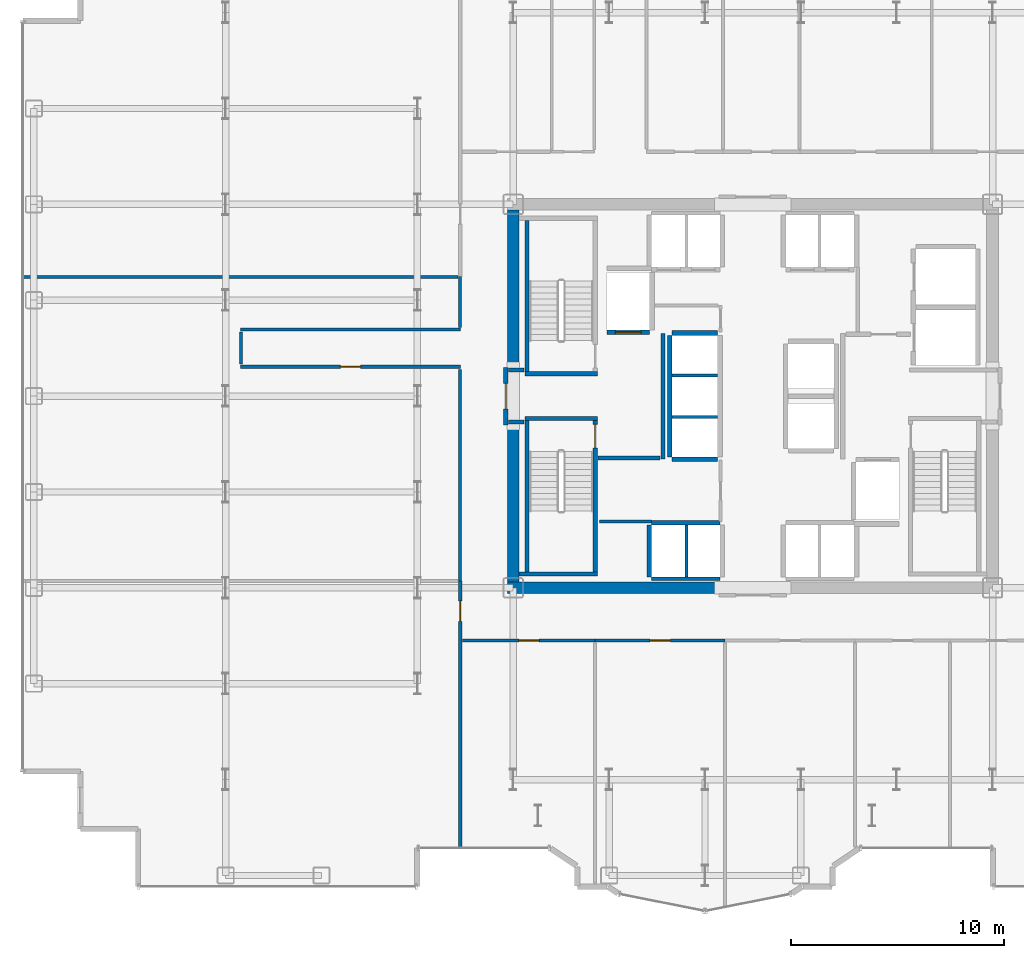
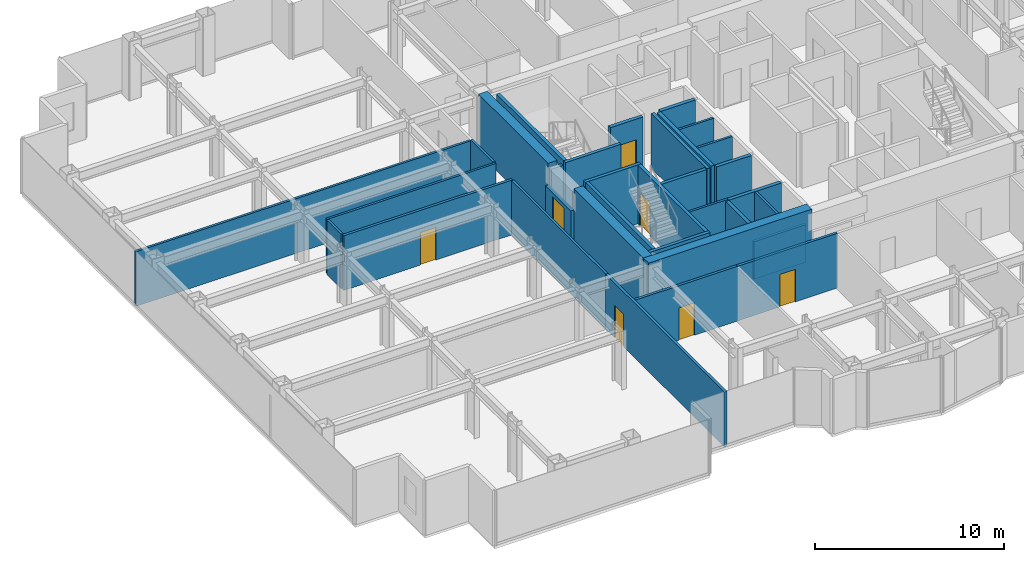
# One storey, part 20 of 26: 34 walls, 7 doors, 7 openings.
"""IFC4 building model written with IfcOpenShell, lengths in metres."""

from ifc_helpers import new_model, si_unit, direction, frame, frame_2d, origin, place, context, subcontext, project, spatial, rectangle, extrude, source, transform, mapped, material, layer, layer_set, type_object, element, fill, save


model = new_model("IFC4")

# Units and contexts
model_context = context("Model", 3, precision=1e-05, world=origin(), true_north=direction((0.0, 1.0)))
body_context = subcontext(model_context, "Body", "Model", "MODEL_VIEW")
ifc_project = project(units=[si_unit("LENGTHUNIT", "METRE"), si_unit("AREAUNIT", "SQUARE_METRE"), si_unit("VOLUMEUNIT", "CUBIC_METRE"), si_unit("PLANEANGLEUNIT", "RADIAN"), si_unit("MASSUNIT", "GRAM", prefix="KILO")], contexts=[model_context])

# Site, building, storey
site_placement = place(None, origin())
site = spatial("IfcSite", under=ifc_project, at=site_placement, CompositionType="ELEMENT")
building_placement = place(site_placement, origin())
building = spatial("IfcBuilding", under=site, at=building_placement, Name="Nefas-Gora Pilgrimage Tower", CompositionType="ELEMENT")
storey_placement = place(building_placement, frame((0.0, 0.0, 128.800048828125)))
storey = spatial("IfcBuildingStorey", under=building, at=storey_placement, Name="L31", CompositionType="ELEMENT", Elevation=128.800048828125)

# Walls
ifc_material_1 = material(Name="Concrete C60/75", Category="concrete")
ifc_layer_1 = layer(ifc_material_1, 0.550048828125)
ifc_layer_set_1 = layer_set([ifc_layer_1], Name="Concrete C60/75")
wall_type_1 = type_object("IfcWallType", Name="SW-CORE-550", PredefinedType="SHEAR", material=ifc_layer_set_1)
shared_shape_1 = source(origin(), body_context, "Body", "SweptSolid", [
    extrude(rectangle(XDim=9.974853515625, YDim=0.550048828125, at=frame_2d((4.9873046875, 0.0))), origin(), (0.0, 0.0, 1.0), 3.800048828125),
])
wall_1_placement = place(storey_placement, frame((-11.52490234375, -9.0, 0.0), z_axis=(0.0, 0.0, 1.0), x_axis=(1.0, 0.0, 0.0)))
element("IfcWall", 1, at=wall_1_placement, inside=storey, type_object=wall_type_1, Name="L31 Core Shear Wall S-West", PredefinedType="SHEAR", context=body_context, shape_type="MappedRepresentation", body=[
    mapped(shared_shape_1, transform((0.0, 0.0, 0.0), x_axis=(1.0, 0.0, 0.0), y_axis=(0.0, 1.0, 0.0), z_axis=(0.0, 0.0, 1.0), scale=1.0)),
])
shared_shape_2 = source(origin(), body_context, "Body", "SweptSolid", [
    extrude(rectangle(XDim=7.375, YDim=0.550048828125, at=frame_2d((3.6875, 0.0))), origin(), (0.0, 0.0, 1.0), 3.800048828125),
])
for number, where, z_axis, x_axis, name in (
    (2, (-11.25, -8.72509765625, 0.0), (0.0, 0.0, 1.0), (0.0, 1.0, 0.0), "L31 Core Shear Wall W-South"),
    (3, (-11.25, 1.35009765625, 0.0), (0.0, 0.0, 1.0), (0.0, 1.0, 0.0), "L31 Core Shear Wall W-North"),
):
    element("IfcWall", number, at=place(storey_placement, frame(where, z_axis=z_axis, x_axis=x_axis)), inside=storey, type_object=wall_type_1, Name=name, PredefinedType="SHEAR", context=body_context, shape_type="MappedRepresentation", body=[
        mapped(shared_shape_2, transform((0.0, 0.0, 0.0), x_axis=(1.0, 0.0, 0.0), y_axis=(0.0, 1.0, 0.0), z_axis=(0.0, 0.0, 1.0), scale=1.0)),
    ])
ifc_material_2 = material(Name="Concrete C45/55", Category="concrete")
ifc_layer_2 = layer(ifc_material_2, 0.199951171875)
ifc_layer_set_2 = layer_set([ifc_layer_2], Name="Concrete C45/55")
wall_type_2 = type_object("IfcWallType", Name="IW-STAIR-200", PredefinedType="SOLIDWALL", material=ifc_layer_set_2)
shared_shape_3 = source(origin(), body_context, "Body", "SweptSolid", [
    extrude(rectangle(XDim=3.39990234375, YDim=0.199951171875, at=frame_2d((1.699951171875, 0.0))), origin(), (0.0, 0.0, 1.0), 3.800048828125),
])
for number, where, z_axis, x_axis, name in (
    (4, (-7.300048828125, 1.050048828125, 0.0), (0.0, 0.0, 1.0), (-1.0, 0.0, 0.0), "L31 Stairwell Shear Wall ST-01-near"),
    (5, (-10.699951171875, -1.050048828125, 0.0), (0.0, 0.0, 1.0), (1.0, 0.0, 0.0), "L31 Stairwell Shear Wall ST-03-near"),
):
    element("IfcWall", number, at=place(storey_placement, frame(where, z_axis=z_axis, x_axis=x_axis)), inside=storey, type_object=wall_type_2, Name=name, PredefinedType="SOLIDWALL", context=body_context, shape_type="MappedRepresentation", body=[
        mapped(shared_shape_3, transform((0.0, 0.0, 0.0), x_axis=(1.0, 0.0, 0.0), y_axis=(0.0, 1.0, 0.0), z_axis=(0.0, 0.0, 1.0), scale=1.0)),
    ])
shared_shape_4 = source(origin(), body_context, "Body", "SweptSolid", [
    extrude(rectangle(XDim=7.10009765625, YDim=0.199951171875, at=frame_2d((3.550048828125, 0.0))), origin(), (0.0, 0.0, 1.0), 3.800048828125),
])
for number, where, z_axis, x_axis, name in (
    (6, (-10.60009765625, 1.14990234375, 0.0), (0.0, 0.0, 1.0), (0.0, 1.0, 0.0), "L31 Stairwell Shear Wall ST-01-right"),
    (7, (-10.60009765625, -1.14990234375, 0.0), (0.0, 0.0, 1.0), (0.0, -1.0, 0.0), "L31 Stairwell Shear Wall ST-03-left"),
):
    element("IfcWall", number, at=place(storey_placement, frame(where, z_axis=z_axis, x_axis=x_axis)), inside=storey, type_object=wall_type_2, Name=name, PredefinedType="SOLIDWALL", context=body_context, shape_type="MappedRepresentation", body=[
        mapped(shared_shape_4, transform((0.0, 0.0, 0.0), x_axis=(1.0, 0.0, 0.0), y_axis=(0.0, 1.0, 0.0), z_axis=(0.0, 0.0, 1.0), scale=1.0)),
    ])

# Wall, opening, door
wall_2_placement = place(storey_placement, frame((-7.39990234375, -1.14990234375, 0.0), z_axis=(0.0, 0.0, 1.0), x_axis=(0.0, -1.0, 0.0)))
wall_2 = element("IfcWall", 8, at=wall_2_placement, inside=storey, type_object=wall_type_2, Name="L31 Stairwell Shear Wall ST-03-right", PredefinedType="SOLIDWALL", context=body_context, shape_type="MappedRepresentation", body=[
    mapped(shared_shape_4, transform((0.0, 0.0, 0.0), x_axis=(1.0, 0.0, 0.0), y_axis=(0.0, 1.0, 0.0), z_axis=(0.0, 0.0, 1.0), scale=1.0)),
])
opening_1_placement = place(wall_2_placement, frame((0.179931640625, 0.0, 0.0)))
opening_1 = element("IfcOpeningElement", 9, at=opening_1_placement, cuts=wall_2, Name="Opening ID-ST1", PredefinedType="OPENING", context=body_context, shape_type="SweptSolid", body=[
    extrude(rectangle(XDim=1.10009765625, YDim=2.14990234375, at=frame_2d((0.550048828125, 1.074951171875))), frame((0.0, 0.10986328125, 0.0), z_axis=(0.0, -1.0, 0.0), x_axis=(1.0, 0.0, 0.0)), (0.0, 0.0, 1.0), 0.219970703125),
])
ifc_material_3 = material(Name="Painted galvanised steel fire stair door", Category="steel")
door_type_1 = type_object("IfcDoorType", Name="DR-INT-STAIR-1100", OperationType="NOTDEFINED", PredefinedType="DOOR", material=ifc_material_3)
shared_shape_5 = source(origin(), body_context, "Body", "SweptSolid", [
    extrude(rectangle(XDim=1.10009765625, YDim=2.14990234375, at=frame_2d((0.550048828125, 1.074951171875))), frame((0.0, 0.02490234375, 0.0), z_axis=(0.0, -1.0, 0.0), x_axis=(1.0, 0.0, 0.0)), (0.0, 0.0, 1.0), 0.050048828125),
])
door_1_placement = place(opening_1_placement, origin())
door_1 = element("IfcDoor", 10, at=door_1_placement, inside=storey, type_object=door_type_1, Name="L31 Protected Exit Stair Door ST-03", OperationType="SINGLE_SWING_LEFT", OverallHeight=2.14990234375, OverallWidth=1.10009765625, PredefinedType="DOOR", context=body_context, shape_type="MappedRepresentation", body=[
    mapped(shared_shape_5, transform((0.0, 0.0, 0.0), x_axis=(1.0, 0.0, 0.0), y_axis=(0.0, 1.0, 0.0), z_axis=(0.0, 0.0, 1.0), scale=1.0)),
])
fill(opening_1, door_1)

# Wall
shared_shape_6 = source(origin(), body_context, "Body", "SweptSolid", [
    extrude(rectangle(XDim=3.679931640625, YDim=0.199951171875, at=frame_2d((1.83984375, 0.0))), origin(), (0.0, 0.0, 1.0), 3.800048828125),
])
wall_3_placement = place(storey_placement, frame((-10.97998046875, -8.35009765625, 0.0), z_axis=(0.0, 0.0, 1.0), x_axis=(1.0, 0.0, 0.0)))
element("IfcWall", 11, at=wall_3_placement, inside=storey, type_object=wall_type_2, Name="L31 Stairwell Shear Wall ST-03-far", PredefinedType="SOLIDWALL", context=body_context, shape_type="MappedRepresentation", body=[
    mapped(shared_shape_6, transform((0.0, 0.0, 0.0), x_axis=(1.0, 0.0, 0.0), y_axis=(0.0, 1.0, 0.0), z_axis=(0.0, 0.0, 1.0), scale=1.0)),
])

# Wall, opening, door
ifc_material_4 = material(Name="Concrete C40/50", Category="concrete")
ifc_layer_3 = layer(ifc_material_4, 0.219970703125)
ifc_layer_set_3 = layer_set([ifc_layer_3], Name="Concrete C40/50")
wall_type_3 = type_object("IfcWallType", Name="IW-SHAFT-220", PredefinedType="SOLIDWALL", material=ifc_layer_set_3)
shared_shape_7 = source(origin(), body_context, "Body", "SweptSolid", [
    extrude(rectangle(XDim=2.0, YDim=0.219970703125, at=frame_2d((1.0, 0.0))), origin(), (0.0, 0.0, 1.0), 3.534912109375),
])
wall_4_placement = place(storey_placement, frame((-6.85009765625, 2.989990234375, 0.0), z_axis=(0.0, 0.0, 1.0), x_axis=(1.0, 0.0, 0.0)))
wall_4 = element("IfcWall", 12, at=wall_4_placement, inside=storey, type_object=wall_type_3, Name="L31 Hoistway Wall FFL-01-S", PredefinedType="SOLIDWALL", context=body_context, shape_type="MappedRepresentation", body=[
    mapped(shared_shape_7, transform((0.0, 0.0, 0.0), x_axis=(1.0, 0.0, 0.0), y_axis=(0.0, 1.0, 0.0), z_axis=(0.0, 0.0, 1.0), scale=1.0)),
])
opening_2_placement = place(wall_4_placement, frame((0.39990234375, 0.0, 0.0)))
opening_2 = element("IfcOpeningElement", 13, at=opening_2_placement, cuts=wall_4, Name="Opening LD-FF", PredefinedType="OPENING", context=body_context, shape_type="SweptSolid", body=[
    extrude(rectangle(XDim=1.199951171875, YDim=2.199951171875, at=frame_2d((0.60009765625, 1.10009765625))), frame((0.0, 0.119873046875, 0.0), z_axis=(0.0, -1.0, 0.0), x_axis=(1.0, 0.0, 0.0)), (0.0, 0.0, 1.0), 0.239990234375),
])
ifc_material_5 = material(Name="Fire-service sliding lift landing door")
door_type_2 = type_object("IfcDoorType", Name="DR-LIFT-FSAE-1200", OperationType="SLIDING_TO_LEFT", PredefinedType="DOOR", material=ifc_material_5)
shared_shape_8 = source(origin(), body_context, "Body", "SweptSolid", [
    extrude(rectangle(XDim=1.199951171875, YDim=2.199951171875, at=frame_2d((0.60009765625, 1.10009765625))), frame((0.0, 0.02490234375, 0.0), z_axis=(0.0, -1.0, 0.0), x_axis=(1.0, 0.0, 0.0)), (0.0, 0.0, 1.0), 0.050048828125),
])
door_2_placement = place(opening_2_placement, origin())
door_2 = element("IfcDoor", 14, at=door_2_placement, inside=storey, type_object=door_type_2, Name="L31 Sliding Lift Landing Door FFL-01", OperationType="SLIDING_TO_LEFT", OverallHeight=2.199951171875, OverallWidth=1.199951171875, PredefinedType="DOOR", context=body_context, shape_type="MappedRepresentation", body=[
    mapped(shared_shape_8, transform((0.0, 0.0, 0.0), x_axis=(1.0, 0.0, 0.0), y_axis=(0.0, 1.0, 0.0), z_axis=(0.0, 0.0, 1.0), scale=1.0)),
])
fill(opening_2, door_2)

# Walls
shared_shape_9 = source(origin(), body_context, "Body", "SweptSolid", [
    extrude(rectangle(XDim=3.199951171875, YDim=0.219970703125, at=frame_2d((1.60009765625, 0.0))), origin(), (0.0, 0.0, 1.0), 3.534912109375),
])
wall_5_placement = place(storey_placement, frame((-1.550048828125, -5.93994140625, 0.0), z_axis=(0.0, 0.0, 1.0), x_axis=(-1.0, 0.0, 0.0)))
element("IfcWall", 15, at=wall_5_placement, inside=storey, type_object=wall_type_3, Name="L31 Hoistway Wall PL2-W-N", PredefinedType="SOLIDWALL", context=body_context, shape_type="MappedRepresentation", body=[
    mapped(shared_shape_9, transform((0.0, 0.0, 0.0), x_axis=(1.0, 0.0, 0.0), y_axis=(0.0, 1.0, 0.0), z_axis=(0.0, 0.0, 1.0), scale=1.0)),
])
ifc_material_6 = material(Name="Gypsum acoustic stud partition")
ifc_layer_4 = layer(ifc_material_6, 0.159912109375)
ifc_layer_set_4 = layer_set([ifc_layer_4], Name="Gypsum acoustic stud partition")
wall_type_4 = type_object("IfcWallType", Name="IW-CORR-160", PredefinedType="PARTITIONING", material=ifc_layer_set_4)
shared_shape_10 = source(origin(), body_context, "Body", "SweptSolid", [
    extrude(rectangle(XDim=3.199951171875, YDim=0.159912109375, at=frame_2d((1.60009765625, 0.0))), origin(), (0.0, 0.0, 1.0), 2.425048828125),
])
wall_6_placement = place(storey_placement, frame((-4.75, -8.580078125, 0.0), z_axis=(0.0, 0.0, 1.0), x_axis=(1.0, 0.0, 0.0)))
element("IfcWall", 16, at=wall_6_placement, inside=storey, type_object=wall_type_4, Name="L31 Hoistway Wall PL2-W-S", PredefinedType="PARTITIONING", context=body_context, shape_type="MappedRepresentation", body=[
    mapped(shared_shape_10, transform((0.0, 0.0, 0.0), x_axis=(1.0, 0.0, 0.0), y_axis=(0.0, 1.0, 0.0), z_axis=(0.0, 0.0, 1.0), scale=1.0)),
])
shared_shape_11 = source(origin(), body_context, "Body", "SweptSolid", [
    extrude(rectangle(XDim=2.429931640625, YDim=0.219970703125, at=frame_2d((1.21484375, 0.0))), origin(), (0.0, 0.0, 1.0), 3.534912109375),
])
wall_7_placement = place(storey_placement, frame((-4.860107421875, -6.06005859375, 0.0), z_axis=(0.0, 0.0, 1.0), x_axis=(0.0, -1.0, 0.0)))
element("IfcWall", 17, at=wall_7_placement, inside=storey, type_object=wall_type_3, Name="L31 Hoistway Wall PL2-W-W", PredefinedType="SOLIDWALL", context=body_context, shape_type="MappedRepresentation", body=[
    mapped(shared_shape_11, transform((0.0, 0.0, 0.0), x_axis=(1.0, 0.0, 0.0), y_axis=(0.0, 1.0, 0.0), z_axis=(0.0, 0.0, 1.0), scale=1.0)),
])
ifc_material_7 = material(Name="Gypsum twin-stud partition")
ifc_layer_5 = layer(ifc_material_7, 0.139892578125)
ifc_layer_set_5 = layer_set([ifc_layer_5], Name="Gypsum twin-stud partition")
wall_type_5 = type_object("IfcWallType", Name="IW-UNIT-140", PredefinedType="PARTITIONING", material=ifc_layer_set_5)
shared_shape_12 = source(origin(), body_context, "Body", "SweptSolid", [
    extrude(rectangle(XDim=2.429931640625, YDim=0.139892578125, at=frame_2d((1.21484375, 0.0))), origin(), (0.0, 0.0, 1.0), 3.534912109375),
])
wall_8_placement = place(storey_placement, frame((-3.125, -8.489990234375, 0.0), z_axis=(0.0, 0.0, 1.0), x_axis=(0.0, 1.0, 0.0)))
element("IfcWall", 18, at=wall_8_placement, inside=storey, type_object=wall_type_5, Name="L31 Hoistway Wall PL2-W-DIV", PredefinedType="PARTITIONING", context=body_context, shape_type="MappedRepresentation", body=[
    mapped(shared_shape_12, transform((0.0, 0.0, 0.0), x_axis=(1.0, 0.0, 0.0), y_axis=(0.0, 1.0, 0.0), z_axis=(0.0, 0.0, 1.0), scale=1.0)),
])
shared_shape_13 = source(origin(), body_context, "Body", "SweptSolid", [
    extrude(rectangle(XDim=5.7001953125, YDim=0.219970703125, at=frame_2d((2.85009765625, 0.0))), origin(), (0.0, 0.0, 1.0), 3.534912109375),
])
wall_9_placement = place(storey_placement, frame((-3.909912109375, 2.85009765625, 0.0), z_axis=(0.0, 0.0, 1.0), x_axis=(0.0, -1.0, 0.0)))
element("IfcWall", 19, at=wall_9_placement, inside=storey, type_object=wall_type_3, Name="L31 Hoistway Wall PL3-01-03-W", PredefinedType="SOLIDWALL", context=body_context, shape_type="MappedRepresentation", body=[
    mapped(shared_shape_13, transform((0.0, 0.0, 0.0), x_axis=(1.0, 0.0, 0.0), y_axis=(0.0, 1.0, 0.0), z_axis=(0.0, 0.0, 1.0), scale=1.0)),
])
shared_shape_14 = source(origin(), body_context, "Body", "SweptSolid", [
    extrude(rectangle(XDim=2.130126953125, YDim=0.219970703125, at=frame_2d((1.06494140625, 0.0))), origin(), (0.0, 0.0, 1.0), 3.534912109375),
])
for number, where, z_axis, x_axis, name in (
    (20, (-3.7900390625, -2.9599609375, 0.0), (0.0, 0.0, 1.0), (1.0, 0.0, 0.0), "L31 Hoistway Wall PL3-01-S"),
    (21, (-1.659912109375, 2.9599609375, 0.0), (0.0, 0.0, 1.0), (-1.0, 0.0, 0.0), "L31 Hoistway Wall PL3-03-N"),
):
    element("IfcWall", number, at=place(storey_placement, frame(where, z_axis=z_axis, x_axis=x_axis)), inside=storey, type_object=wall_type_3, Name=name, PredefinedType="SOLIDWALL", context=body_context, shape_type="MappedRepresentation", body=[
        mapped(shared_shape_14, transform((0.0, 0.0, 0.0), x_axis=(1.0, 0.0, 0.0), y_axis=(0.0, 1.0, 0.0), z_axis=(0.0, 0.0, 1.0), scale=1.0)),
    ])
shared_shape_15 = source(origin(), body_context, "Body", "SweptSolid", [
    extrude(rectangle(XDim=2.130126953125, YDim=0.139892578125, at=frame_2d((1.06494140625, 0.0))), origin(), (0.0, 0.0, 1.0), 3.534912109375),
])
for number, where, z_axis, x_axis, name in (
    (22, (-3.7900390625, -0.97509765625, 0.0), (0.0, 0.0, 1.0), (1.0, 0.0, 0.0), "L31 Hoistway Wall PL3-01-02-DIV"),
    (23, (-3.7900390625, 0.97509765625, 0.0), (0.0, 0.0, 1.0), (1.0, 0.0, 0.0), "L31 Hoistway Wall PL3-02-03-DIV"),
):
    element("IfcWall", number, at=place(storey_placement, frame(where, z_axis=z_axis, x_axis=x_axis)), inside=storey, type_object=wall_type_5, Name=name, PredefinedType="PARTITIONING", context=body_context, shape_type="MappedRepresentation", body=[
        mapped(shared_shape_15, transform((0.0, 0.0, 0.0), x_axis=(1.0, 0.0, 0.0), y_axis=(0.0, 1.0, 0.0), z_axis=(0.0, 0.0, 1.0), scale=1.0)),
    ])

# Wall, opening, door
ifc_material_8 = material(Name="Gypsum fire-rated shaftwall")
ifc_layer_6 = layer(ifc_material_8, 0.199951171875)
ifc_layer_set_6 = layer_set([ifc_layer_6], Name="Gypsum fire-rated shaftwall")
wall_type_6 = type_object("IfcWallType", Name="IW-FFLOB-200", PredefinedType="PARTITIONING", material=ifc_layer_set_6)
shared_shape_16 = source(origin(), body_context, "Body", "SweptSolid", [
    extrude(rectangle(XDim=2.7001953125, YDim=0.199951171875, at=frame_2d((1.35009765625, 0.0))), origin(), (0.0, 0.0, 1.0), 2.425048828125),
])
wall_10_placement = place(storey_placement, frame((-11.60009765625, -1.35009765625, 0.0), z_axis=(0.0, 0.0, 1.0), x_axis=(0.0, 1.0, 0.0)))
wall_10 = element("IfcWall", 24, at=wall_10_placement, inside=storey, type_object=wall_type_6, Name="L31 FF Lobby West Portal Wall 3", PredefinedType="PARTITIONING", context=body_context, shape_type="MappedRepresentation", body=[
    mapped(shared_shape_16, transform((0.0, 0.0, 0.0), x_axis=(1.0, 0.0, 0.0), y_axis=(0.0, 1.0, 0.0), z_axis=(0.0, 0.0, 1.0), scale=1.0)),
])
opening_3_placement = place(wall_10_placement, frame((0.75, 0.0, 0.0)))
opening_3 = element("IfcOpeningElement", 25, at=opening_3_placement, cuts=wall_10, Name="Opening ID-FF1", PredefinedType="OPENING", context=body_context, shape_type="SweptSolid", body=[
    extrude(rectangle(XDim=1.199951171875, YDim=2.14990234375, at=frame_2d((0.60009765625, 1.074951171875))), frame((0.0, 0.10986328125, 0.0), z_axis=(0.0, -1.0, 0.0), x_axis=(1.0, 0.0, 0.0)), (0.0, 0.0, 1.0), 0.219970703125),
])
ifc_material_9 = material(Name="Smoke-sealed steel firefighting lobby door", Category="steel")
door_type_3 = type_object("IfcDoorType", Name="DR-INT-FFLOB-1200", OperationType="NOTDEFINED", PredefinedType="DOOR", material=ifc_material_9)
shared_shape_17 = source(origin(), body_context, "Body", "SweptSolid", [
    extrude(rectangle(XDim=1.199951171875, YDim=2.14990234375, at=frame_2d((0.60009765625, 1.074951171875))), frame((0.0, 0.02490234375, 0.0), z_axis=(0.0, -1.0, 0.0), x_axis=(1.0, 0.0, 0.0)), (0.0, 0.0, 1.0), 0.050048828125),
])
door_3_placement = place(opening_3_placement, origin())
door_3 = element("IfcDoor", 26, at=door_3_placement, inside=storey, type_object=door_type_3, Name="L31 FF Lobby West Portal Door 1", OperationType="SINGLE_SWING_LEFT", OverallHeight=2.14990234375, OverallWidth=1.199951171875, PredefinedType="DOOR", context=body_context, shape_type="MappedRepresentation", body=[
    mapped(shared_shape_17, transform((0.0, 0.0, 0.0), x_axis=(1.0, 0.0, 0.0), y_axis=(0.0, 1.0, 0.0), z_axis=(0.0, 0.0, 1.0), scale=1.0)),
])
fill(opening_3, door_3)

# Walls
shared_shape_18 = source(origin(), body_context, "Body", "SweptSolid", [
    extrude(rectangle(XDim=5.89990234375, YDim=0.199951171875, at=frame_2d((2.949951171875, 0.0))), origin(), (0.0, 0.0, 1.0), 3.534912109375),
])
wall_11_placement = place(storey_placement, frame((-4.219970703125, -2.949951171875, 0.0), z_axis=(0.0, 0.0, 1.0), x_axis=(0.0, 1.0, 0.0)))
element("IfcWall", 27, at=wall_11_placement, inside=storey, type_object=wall_type_6, Name="L31 FF Lobby West Inner Wall Wall 4", PredefinedType="PARTITIONING", context=body_context, shape_type="MappedRepresentation", body=[
    mapped(shared_shape_18, transform((0.0, 0.0, 0.0), x_axis=(1.0, 0.0, 0.0), y_axis=(0.0, 1.0, 0.0), z_axis=(0.0, 0.0, 1.0), scale=1.0)),
])
shared_shape_19 = source(origin(), body_context, "Body", "SweptSolid", [
    extrude(rectangle(XDim=2.89990234375, YDim=0.199951171875, at=frame_2d((1.449951171875, 0.0))), origin(), (0.0, 0.0, 1.0), 3.534912109375),
])
wall_12_placement = place(storey_placement, frame((-7.260009765625, -2.89990234375, 0.0), z_axis=(0.0, 0.0, 1.0), x_axis=(1.0, 0.0, 0.0)))
element("IfcWall", 28, at=wall_12_placement, inside=storey, type_object=wall_type_6, Name="L31 FF Lobby West South Wall Wall 5", PredefinedType="PARTITIONING", context=body_context, shape_type="MappedRepresentation", body=[
    mapped(shared_shape_19, transform((0.0, 0.0, 0.0), x_axis=(1.0, 0.0, 0.0), y_axis=(0.0, 1.0, 0.0), z_axis=(0.0, 0.0, 1.0), scale=1.0)),
])
shared_shape_20 = source(origin(), body_context, "Body", "SweptSolid", [
    extrude(rectangle(XDim=0.719970703125, YDim=0.199951171875, at=frame_2d((0.35986328125, 0.0))), origin(), (0.0, 0.0, 1.0), 3.534912109375),
])
for number, where, z_axis, x_axis, name in (
    (29, (-11.4599609375, 1.219970703125, 0.0), (0.0, 0.0, 1.0), (1.0, 0.0, 0.0), "L31 FF Lobby West Throat N Wall 6"),
    (30, (-11.4599609375, -1.219970703125, 0.0), (0.0, 0.0, 1.0), (1.0, 0.0, 0.0), "L31 FF Lobby West Throat S Wall 7"),
):
    element("IfcWall", number, at=place(storey_placement, frame(where, z_axis=z_axis, x_axis=x_axis)), inside=storey, type_object=wall_type_6, Name=name, PredefinedType="PARTITIONING", context=body_context, shape_type="MappedRepresentation", body=[
        mapped(shared_shape_20, transform((0.0, 0.0, 0.0), x_axis=(1.0, 0.0, 0.0), y_axis=(0.0, 1.0, 0.0), z_axis=(0.0, 0.0, 1.0), scale=1.0)),
    ])
shared_shape_21 = source(origin(), body_context, "Body", "SweptSolid", [
    extrude(rectangle(XDim=2.43505859375, YDim=0.139892578125, at=frame_2d((1.217529296875, 0.0))), origin(), (0.0, 0.0, 1.0), 3.534912109375),
])
wall_13_placement = place(storey_placement, frame((-7.18994140625, -5.8798828125, 0.0), z_axis=(0.0, 0.0, 1.0), x_axis=(1.0, 0.0, 0.0)))
element("IfcWall", 31, at=wall_13_placement, inside=storey, type_object=wall_type_5, Name="L31 Pilgrim Baggage and Gear Vault Partition Wall 19", PredefinedType="PARTITIONING", context=body_context, shape_type="MappedRepresentation", body=[
    mapped(shared_shape_21, transform((0.0, 0.0, 0.0), x_axis=(1.0, 0.0, 0.0), y_axis=(0.0, 1.0, 0.0), z_axis=(0.0, 0.0, 1.0), scale=1.0)),
])
shared_shape_22 = source(origin(), body_context, "Body", "SweptSolid", [
    extrude(rectangle(XDim=20.43994140625, YDim=0.139892578125, at=frame_2d((10.219970703125, 0.0))), origin(), (0.0, 0.0, 1.0), 3.534912109375),
])
wall_14_placement = place(storey_placement, frame((-34.2900390625, 5.594970703125, 0.0), z_axis=(0.0, 0.0, 1.0), x_axis=(1.0, 0.0, 0.0)))
element("IfcWall", 32, at=wall_14_placement, inside=storey, type_object=wall_type_5, Name="L31 Pilgrim Floor Concierge Foyer Partition Wall 29", PredefinedType="PARTITIONING", context=body_context, shape_type="MappedRepresentation", body=[
    mapped(shared_shape_22, transform((0.0, 0.0, 0.0), x_axis=(1.0, 0.0, 0.0), y_axis=(0.0, 1.0, 0.0), z_axis=(0.0, 0.0, 1.0), scale=1.0)),
])

# Wall, opening, door
shared_shape_23 = source(origin(), body_context, "Body", "SweptSolid", [
    extrude(rectangle(XDim=6.22509765625, YDim=0.159912109375, at=frame_2d((3.112548828125, 0.0))), origin(), (0.0, 0.0, 1.0), 3.534912109375),
])
wall_15_placement = place(storey_placement, frame((-13.6201171875, -11.469970703125, 0.0), z_axis=(0.0, 0.0, 1.0), x_axis=(1.0, 0.0, 0.0)))
wall_15 = element("IfcWall", 33, at=wall_15_placement, inside=storey, type_object=wall_type_4, Name="L31 Pilgrim Contemplative Lounge Partition Wall 52", PredefinedType="PARTITIONING", context=body_context, shape_type="MappedRepresentation", body=[
    mapped(shared_shape_23, transform((0.0, 0.0, 0.0), x_axis=(1.0, 0.0, 0.0), y_axis=(0.0, 1.0, 0.0), z_axis=(0.0, 0.0, 1.0), scale=1.0)),
])
opening_4_placement = place(wall_15_placement, frame((2.637451171875, 0.0, 0.0)))
opening_4 = element("IfcOpeningElement", 34, at=opening_4_placement, cuts=wall_15, Name="Opening ID-GR1", PredefinedType="OPENING", context=body_context, shape_type="SweptSolid", body=[
    extrude(rectangle(XDim=0.949951171875, YDim=2.10009765625, at=frame_2d((0.47509765625, 1.050048828125))), frame((0.0, 0.08984375, 0.0), z_axis=(0.0, -1.0, 0.0), x_axis=(1.0, 0.0, 0.0)), (0.0, 0.0, 1.0), 0.179931640625),
])
ifc_material_10 = material(Name="Solid core oak fire-rated guest entrance door")
door_type_4 = type_object("IfcDoorType", Name="DR-INT-GUEST-950", OperationType="NOTDEFINED", PredefinedType="DOOR", material=ifc_material_10)
shared_shape_24 = source(origin(), body_context, "Body", "SweptSolid", [
    extrude(rectangle(XDim=0.949951171875, YDim=2.10009765625, at=frame_2d((0.47509765625, 1.050048828125))), frame((0.0, 0.02490234375, 0.0), z_axis=(0.0, -1.0, 0.0), x_axis=(1.0, 0.0, 0.0)), (0.0, 0.0, 1.0), 0.050048828125),
])
door_4_placement = place(opening_4_placement, origin())
door_4 = element("IfcDoor", 35, at=door_4_placement, inside=storey, type_object=door_type_4, Name="L31 Pilgrim Contemplative Lounge Door 23", OperationType="SINGLE_SWING_LEFT", OverallHeight=2.10009765625, OverallWidth=0.949951171875, PredefinedType="DOOR", context=body_context, shape_type="MappedRepresentation", body=[
    mapped(shared_shape_24, transform((0.0, 0.0, 0.0), x_axis=(1.0, 0.0, 0.0), y_axis=(0.0, 1.0, 0.0), z_axis=(0.0, 0.0, 1.0), scale=1.0)),
])
fill(opening_4, door_4)

shared_shape_25 = source(origin(), body_context, "Body", "SweptSolid", [
    extrude(rectangle(XDim=10.31005859375, YDim=0.159912109375, at=frame_2d((5.155029296875, 0.0))), origin(), (0.0, 0.0, 1.0), 3.534912109375),
])
wall_16_placement = place(storey_placement, frame((-24.0400390625, 1.3798828125, 0.0), z_axis=(0.0, 0.0, 1.0), x_axis=(1.0, 0.0, 0.0)))
wall_16 = element("IfcWall", 36, at=wall_16_placement, inside=storey, type_object=wall_type_4, Name="L31 Pilgrim Floor Concierge Foyer Partition Wall 23", PredefinedType="PARTITIONING", context=body_context, shape_type="MappedRepresentation", body=[
    mapped(shared_shape_25, transform((0.0, 0.0, 0.0), x_axis=(1.0, 0.0, 0.0), y_axis=(0.0, 1.0, 0.0), z_axis=(0.0, 0.0, 1.0), scale=1.0)),
])
opening_5_placement = place(wall_16_placement, frame((4.679931640625, 0.0, 0.0)))
opening_5 = element("IfcOpeningElement", 37, at=opening_5_placement, cuts=wall_16, Name="Opening ID-GR1", PredefinedType="OPENING", context=body_context, shape_type="SweptSolid", body=[
    extrude(rectangle(XDim=0.949951171875, YDim=2.10009765625, at=frame_2d((0.47509765625, 1.050048828125))), frame((0.0, 0.08984375, 0.0), z_axis=(0.0, -1.0, 0.0), x_axis=(1.0, 0.0, 0.0)), (0.0, 0.0, 1.0), 0.179931640625),
])
door_5_placement = place(opening_5_placement, origin())
door_5 = element("IfcDoor", 38, at=door_5_placement, inside=storey, type_object=door_type_4, Name="L31 Pilgrim Floor Concierge Foyer Door 9", OperationType="SINGLE_SWING_LEFT", OverallHeight=2.10009765625, OverallWidth=0.949951171875, PredefinedType="DOOR", context=body_context, shape_type="MappedRepresentation", body=[
    mapped(shared_shape_24, transform((0.0, 0.0, 0.0), x_axis=(1.0, 0.0, 0.0), y_axis=(0.0, 1.0, 0.0), z_axis=(0.0, 0.0, 1.0), scale=1.0)),
])
fill(opening_5, door_5)

# Walls
shared_shape_26 = source(origin(), body_context, "Body", "SweptSolid", [
    extrude(rectangle(XDim=10.31005859375, YDim=0.139892578125, at=frame_2d((5.155029296875, 0.0))), origin(), (0.0, 0.0, 1.0), 3.534912109375),
])
wall_17_placement = place(storey_placement, frame((-24.0400390625, 3.1201171875, 0.0), z_axis=(0.0, 0.0, 1.0), x_axis=(1.0, 0.0, 0.0)))
element("IfcWall", 39, at=wall_17_placement, inside=storey, type_object=wall_type_5, Name="L31 Pilgrim Floor Concierge Foyer Partition Wall 24", PredefinedType="PARTITIONING", context=body_context, shape_type="MappedRepresentation", body=[
    mapped(shared_shape_26, transform((0.0, 0.0, 0.0), x_axis=(1.0, 0.0, 0.0), y_axis=(0.0, 1.0, 0.0), z_axis=(0.0, 0.0, 1.0), scale=1.0)),
])
shared_shape_27 = source(origin(), body_context, "Body", "SweptSolid", [
    extrude(rectangle(XDim=9.947509765625, YDim=0.139892578125, at=frame_2d((4.9736328125, 0.0))), origin(), (0.0, 0.0, 1.0), 3.534912109375),
])
wall_18_placement = place(storey_placement, frame((-13.739990234375, -8.6875, 0.0), z_axis=(0.0, 0.0, 1.0), x_axis=(0.0, 1.0, 0.0)))
element("IfcWall", 40, at=wall_18_placement, inside=storey, type_object=wall_type_5, Name="L31 Pilgrim Floor Concierge Foyer Partition Wall 25", PredefinedType="PARTITIONING", context=body_context, shape_type="MappedRepresentation", body=[
    mapped(shared_shape_27, transform((0.0, 0.0, 0.0), x_axis=(1.0, 0.0, 0.0), y_axis=(0.0, 1.0, 0.0), z_axis=(0.0, 0.0, 1.0), scale=1.0)),
])
shared_shape_28 = source(origin(), body_context, "Body", "SweptSolid", [
    extrude(rectangle(XDim=2.375, YDim=0.139892578125, at=frame_2d((1.1875, 0.0))), origin(), (0.0, 0.0, 1.0), 3.534912109375),
])
wall_19_placement = place(storey_placement, frame((-13.739990234375, 3.22998046875, 0.0), z_axis=(0.0, 0.0, 1.0), x_axis=(0.0, 1.0, 0.0)))
element("IfcWall", 41, at=wall_19_placement, inside=storey, type_object=wall_type_5, Name="L31 Pilgrim Floor Concierge Foyer Partition Wall 26", PredefinedType="PARTITIONING", context=body_context, shape_type="MappedRepresentation", body=[
    mapped(shared_shape_28, transform((0.0, 0.0, 0.0), x_axis=(1.0, 0.0, 0.0), y_axis=(0.0, 1.0, 0.0), z_axis=(0.0, 0.0, 1.0), scale=1.0)),
])
shared_shape_29 = source(origin(), body_context, "Body", "SweptSolid", [
    extrude(rectangle(XDim=1.510009765625, YDim=0.139892578125, at=frame_2d((0.7548828125, 0.0))), origin(), (0.0, 0.0, 1.0), 3.534912109375),
])
wall_20_placement = place(storey_placement, frame((-24.02001953125, 1.5, 0.0), z_axis=(0.0, 0.0, 1.0), x_axis=(0.0, 1.0, 0.0)))
element("IfcWall", 42, at=wall_20_placement, inside=storey, type_object=wall_type_5, Name="L31 Pilgrim Floor Concierge Foyer Partition Wall 27", PredefinedType="PARTITIONING", context=body_context, shape_type="MappedRepresentation", body=[
    mapped(shared_shape_29, transform((0.0, 0.0, 0.0), x_axis=(1.0, 0.0, 0.0), y_axis=(0.0, 1.0, 0.0), z_axis=(0.0, 0.0, 1.0), scale=1.0)),
])

# Wall, opening, door
shared_shape_30 = source(origin(), body_context, "Body", "SweptSolid", [
    extrude(rectangle(XDim=12.552490234375, YDim=0.159912109375, at=frame_2d((6.2763671875, 0.0))), origin(), (0.0, 0.0, 1.0), 3.534912109375),
])
wall_21_placement = place(storey_placement, frame((-13.739990234375, -21.239990234375, 0.0), z_axis=(0.0, 0.0, 1.0), x_axis=(0.0, 1.0, 0.0)))
wall_21 = element("IfcWall", 43, at=wall_21_placement, inside=storey, type_object=wall_type_4, Name="L31 Pilgrim Floor Concierge Foyer Partition Wall 30", PredefinedType="PARTITIONING", context=body_context, shape_type="MappedRepresentation", body=[
    mapped(shared_shape_30, transform((0.0, 0.0, 0.0), x_axis=(1.0, 0.0, 0.0), y_axis=(0.0, 1.0, 0.0), z_axis=(0.0, 0.0, 1.0), scale=1.0)),
])
opening_6_placement = place(wall_21_placement, frame((10.666259765625, 0.0, 0.0)))
opening_6 = element("IfcOpeningElement", 44, at=opening_6_placement, cuts=wall_21, Name="Opening ID-GR1", PredefinedType="OPENING", context=body_context, shape_type="SweptSolid", body=[
    extrude(rectangle(XDim=0.949951171875, YDim=2.10009765625, at=frame_2d((0.47509765625, 1.050048828125))), frame((0.0, 0.08984375, 0.0), z_axis=(0.0, -1.0, 0.0), x_axis=(1.0, 0.0, 0.0)), (0.0, 0.0, 1.0), 0.179931640625),
])
door_6_placement = place(opening_6_placement, origin())
door_6 = element("IfcDoor", 45, at=door_6_placement, inside=storey, type_object=door_type_4, Name="L31 Pilgrim Floor Concierge Foyer Door 10", OperationType="SINGLE_SWING_RIGHT", OverallHeight=2.10009765625, OverallWidth=0.949951171875, PredefinedType="DOOR", context=body_context, shape_type="MappedRepresentation", body=[
    mapped(shared_shape_24, transform((0.0, 0.0, 0.0), x_axis=(1.0, 0.0, 0.0), y_axis=(0.0, 1.0, 0.0), z_axis=(0.0, 0.0, 1.0), scale=1.0)),
])
fill(opening_6, door_6)

shared_shape_31 = source(origin(), body_context, "Body", "SweptSolid", [
    extrude(rectangle(XDim=6.10498046875, YDim=0.159912109375, at=frame_2d((3.052490234375, 0.0))), origin(), (0.0, 0.0, 1.0), 3.534912109375),
])
wall_22_placement = place(storey_placement, frame((-7.405029296875, -11.469970703125, 0.0), z_axis=(0.0, 0.0, 1.0), x_axis=(1.0, 0.0, 0.0)))
wall_22 = element("IfcWall", 46, at=wall_22_placement, inside=storey, type_object=wall_type_4, Name="L31 Pilgrim Contemplative Lounge Partition Wall 54", PredefinedType="PARTITIONING", context=body_context, shape_type="MappedRepresentation", body=[
    mapped(shared_shape_31, transform((0.0, 0.0, 0.0), x_axis=(1.0, 0.0, 0.0), y_axis=(0.0, 1.0, 0.0), z_axis=(0.0, 0.0, 1.0), scale=1.0)),
])
opening_7_placement = place(wall_22_placement, frame((2.577392578125, 0.0, 0.0)))
opening_7 = element("IfcOpeningElement", 47, at=opening_7_placement, cuts=wall_22, Name="Opening ID-GR1", PredefinedType="OPENING", context=body_context, shape_type="SweptSolid", body=[
    extrude(rectangle(XDim=0.949951171875, YDim=2.10009765625, at=frame_2d((0.47509765625, 1.050048828125))), frame((0.0, 0.08984375, 0.0), z_axis=(0.0, -1.0, 0.0), x_axis=(1.0, 0.0, 0.0)), (0.0, 0.0, 1.0), 0.179931640625),
])
door_7_placement = place(opening_7_placement, origin())
door_7 = element("IfcDoor", 48, at=door_7_placement, inside=storey, type_object=door_type_4, Name="L31 Pilgrim Contemplative Lounge Door 24", OperationType="SINGLE_SWING_RIGHT", OverallHeight=2.10009765625, OverallWidth=0.949951171875, PredefinedType="DOOR", context=body_context, shape_type="MappedRepresentation", body=[
    mapped(shared_shape_24, transform((0.0, 0.0, 0.0), x_axis=(1.0, 0.0, 0.0), y_axis=(0.0, 1.0, 0.0), z_axis=(0.0, 0.0, 1.0), scale=1.0)),
])
fill(opening_7, door_7)

save(model, "model.ifc")
